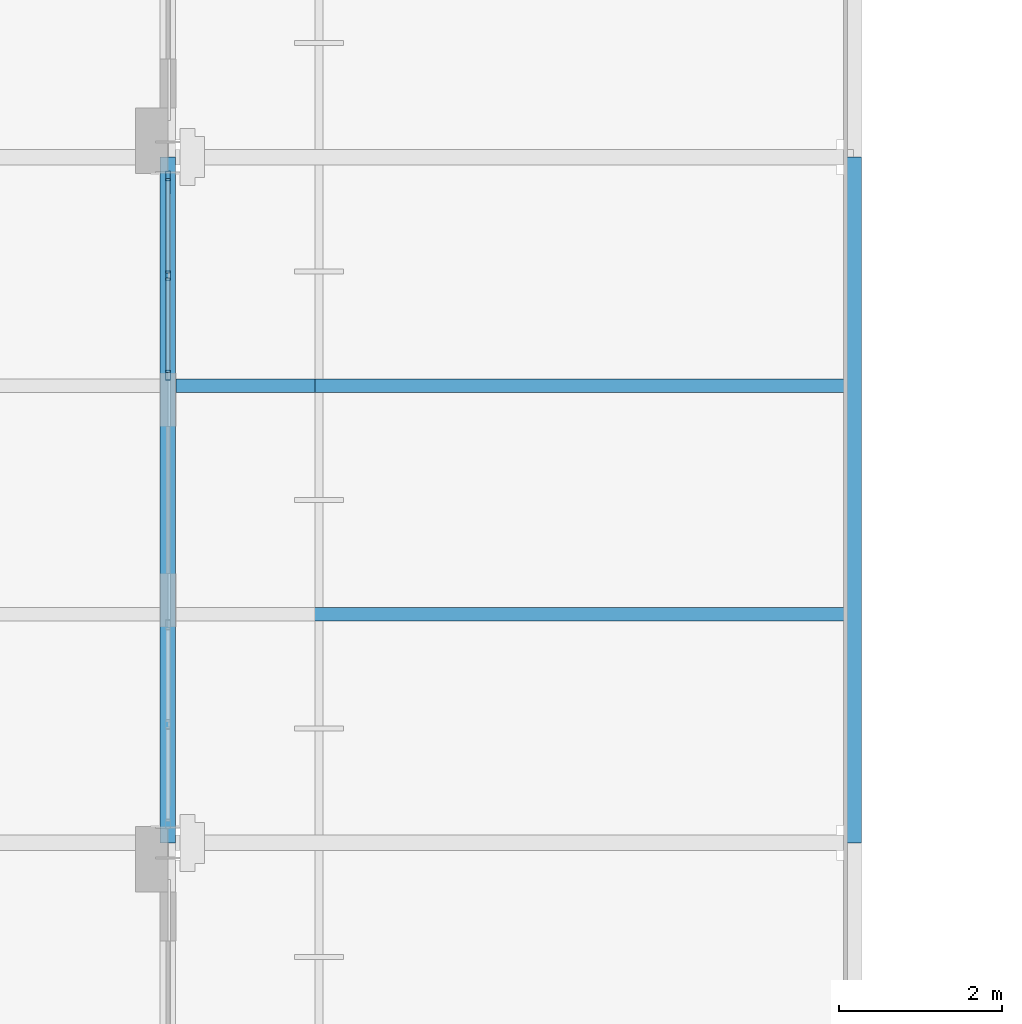
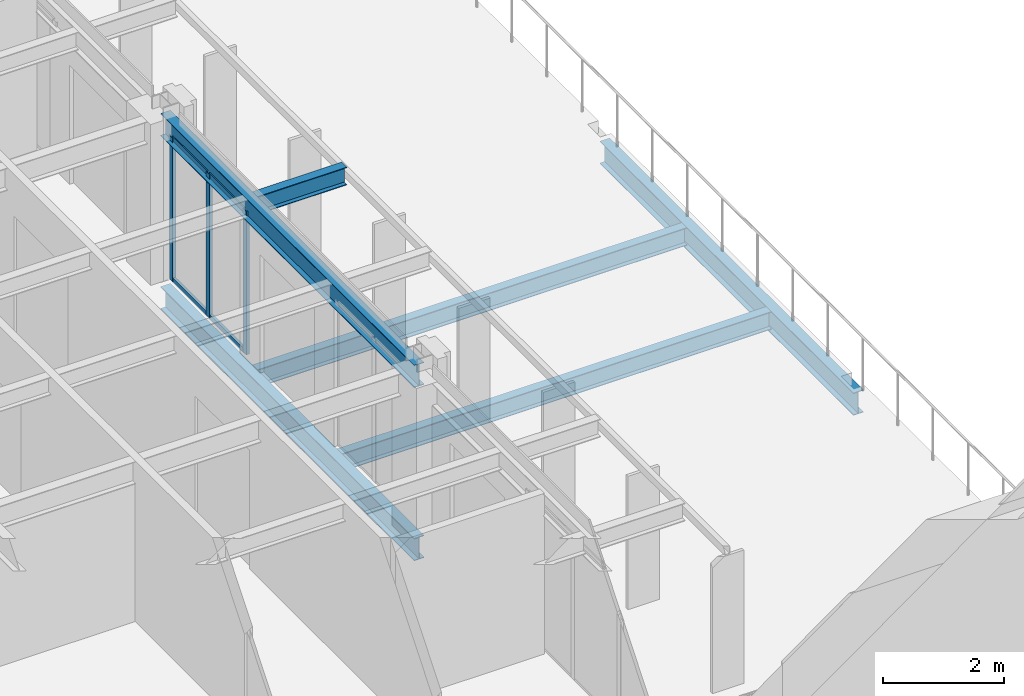
# One storey, part 11 of 31: 7 members, 6 beams, 1 element without a shape of its own.
"""IFC4 building model written with IfcOpenShell, lengths in metres."""

from ifc_helpers import new_model, si_unit, direction, frame, origin, origin_2d, place, context, subcontext, project, spatial, hollow_rectangle, i_section, extrude, material, material_profile, profile_set, type_object, element, aggregate, save


model = new_model("IFC4")

# Units and contexts
model_context = context("Model", 3, precision=1e-05, world=origin(), true_north=direction((0.0, 1.0)))
body_context = subcontext(model_context, "Body", "Model", "MODEL_VIEW")
ifc_project = project(units=[si_unit("LENGTHUNIT", "METRE"), si_unit("AREAUNIT", "SQUARE_METRE"), si_unit("VOLUMEUNIT", "CUBIC_METRE"), si_unit("PLANEANGLEUNIT", "RADIAN"), si_unit("MASSUNIT", "GRAM", prefix="KILO")], contexts=[model_context])

# Site, building, storey
site_placement = place(None, origin())
site = spatial("IfcSite", under=ifc_project, at=site_placement, CompositionType="ELEMENT")
building_placement = place(site_placement, origin())
building = spatial("IfcBuilding", under=site, at=building_placement, Name="Catenary Quay Ferry Terminal", CompositionType="ELEMENT")
storey_placement = place(building_placement, frame((0.0, 0.0, 20.60009765625)))
storey = spatial("IfcBuildingStorey", under=building, at=storey_placement, Name="L04", CompositionType="ELEMENT", Elevation=20.60009765625)

# Beams
ifc_material_1 = material(Name="Steel S355", Category="steel")
ifc_material_profile_1 = material_profile(ifc_material_1, i_section(OverallWidth=0.18994140625, OverallDepth=0.453369140625, WebThickness=0.008544921875, FlangeThickness=0.0126953125, at=origin_2d()), Name="UB 457x191x67")
ifc_profile_set_1 = profile_set([ifc_material_profile_1], Name="Steel S355")
beam_type_1 = type_object("IfcBeamType", Name="B1 UB 457x191x67", PredefinedType="BEAM", material=ifc_profile_set_1)
for number, where, z_axis, x_axis, name in (
    (1, (50.39990234375, 176.39990234375, -0.47705078125), (0.0, 1.0, 0.0), (-1.0, 0.0, 0.0), "Beam B1-018"),
    (2, (42.0, 176.39990234375, -0.47705078125), (0.0, 1.0, 0.0), (-1.0, 0.0, 0.0), "Beam B1-027"),
    (3, (42.0, 176.39990234375, 3.02294921875), (0.0, 1.0, 0.0), (-1.0, 0.0, 0.0), "Beam B1-020"),
):
    element("IfcBeam", number, at=place(storey_placement, frame(where, z_axis=z_axis, x_axis=x_axis)), inside=storey, type_object=beam_type_1, Name=name, PredefinedType="BEAM", context=body_context, shape_type="SweptSolid", body=[
        extrude(i_section(OverallWidth=0.18994140625, OverallDepth=0.453369140625, WebThickness=0.008544921875, FlangeThickness=0.0126953125, at=origin_2d()), origin(), (0.0, 0.0, 1.0), 8.400146484375),
    ])
ifc_material_2 = material(Name="Steel S355", Category="steel")
ifc_material_profile_2 = material_profile(ifc_material_2, i_section(OverallWidth=0.169921875, OverallDepth=0.360107421875, WebThickness=0.008056640625, FlangeThickness=0.0126953125, at=origin_2d()), Name="IPE 360")
ifc_profile_set_2 = profile_set([ifc_material_profile_2], Name="Steel S355")
beam_type_2 = type_object("IfcBeamType", Name="B7 IPE 360", PredefinedType="BEAM", material=ifc_profile_set_2)
for number, where, z_axis, x_axis, name in (
    (4, (42.094970703125, 179.199951171875, -0.43017578125), (1.0, 0.0, 0.0), (0.0, 1.0, 0.0), "Beam B7-009"),
    (5, (42.094970703125, 182.0, -0.43017578125), (1.0, 0.0, 0.0), (0.0, 1.0, 0.0), "Beam B7-012"),
):
    element("IfcBeam", number, at=place(storey_placement, frame(where, z_axis=z_axis, x_axis=x_axis)), inside=storey, type_object=beam_type_2, Name=name, PredefinedType="BEAM", context=body_context, shape_type="SweptSolid", body=[
        extrude(i_section(OverallWidth=0.169921875, OverallDepth=0.360107421875, WebThickness=0.008056640625, FlangeThickness=0.0126953125, at=origin_2d()), origin(), (0.0, 0.0, 1.0), 8.2099609375),
    ])
ifc_material_3 = material(Name="Steel S355", Category="steel")
ifc_material_profile_3 = material_profile(ifc_material_3, i_section(OverallWidth=0.169921875, OverallDepth=0.360107421875, WebThickness=0.008056640625, FlangeThickness=0.0126953125, at=origin_2d()), Name="IPE 360")
ifc_profile_set_3 = profile_set([ifc_material_profile_3], Name="Steel S355")
beam_type_3 = type_object("IfcBeamType", Name="B9 IPE 360", PredefinedType="BEAM", material=ifc_profile_set_3)
beam_placement = place(storey_placement, frame((42.095458984375, 182.0, 3.06982421875), z_axis=(1.0, 0.0, 0.0), x_axis=(0.0, 1.0, 0.0)))
element("IfcBeam", 6, at=beam_placement, inside=storey, type_object=beam_type_3, Name="Eaves cantilever E4", PredefinedType="BEAM", context=body_context, shape_type="SweptSolid", body=[
    extrude(i_section(OverallWidth=0.169921875, OverallDepth=0.360107421875, WebThickness=0.008056640625, FlangeThickness=0.0126953125, at=origin_2d()), origin(), (0.0, 0.0, 1.0), 1.70458984375),
])

# Curtain wall, members
ifc_material_4 = material(Name="Aluminium and glass", Category="aluminium")
curtain_wall_type = type_object("IfcCurtainWallType", Name="CWW5", PredefinedType="NOTDEFINED", material=ifc_material_4)
curtain_wall_placement = place(storey_placement, origin())
curtain_wall = element("IfcCurtainWall", 7, at=curtain_wall_placement, inside=storey, type_object=curtain_wall_type, Name="Wing curtain wall CW160", PredefinedType="NOTDEFINED")
ifc_material_5 = material(Name="Aluminium", Category="aluminium")
ifc_material_profile_4 = material_profile(ifc_material_5, hollow_rectangle(XDim=0.06005859375, YDim=0.1201171875, WallThickness=0.0048828125, at=origin_2d()), Name="MU4")
ifc_profile_set_4 = profile_set([ifc_material_profile_4], Name="Aluminium")
member_type_1 = type_object("IfcMemberType", Name="MU4", PredefinedType="MULLION", material=ifc_profile_set_4)
member_1_placement = place(storey_placement, frame((42.0, 182.1298828125, 0.0), z_axis=(0.0, 0.0, 1.0), x_axis=(-1.0, 0.0, 0.0)))
member_1 = element("IfcMember", 8, at=member_1_placement, type_object=member_type_1, Name="CW160 mullion 1", PredefinedType="MULLION", context=body_context, shape_type="SweptSolid", body=[
    extrude(hollow_rectangle(XDim=0.06005859375, YDim=0.1201171875, WallThickness=0.0048828125, at=origin_2d()), origin(), (0.0, 0.0, 1.0), 2.89990234375),
])
member_2_placement = place(storey_placement, frame((42.0, 183.35009765625, 0.0), z_axis=(0.0, 0.0, 1.0), x_axis=(-1.0, 0.0, 0.0)))
member_2 = element("IfcMember", 9, at=member_2_placement, type_object=member_type_1, Name="CW160 mullion 2", PredefinedType="MULLION", context=body_context, shape_type="SweptSolid", body=[
    extrude(hollow_rectangle(XDim=0.06005859375, YDim=0.1201171875, WallThickness=0.0048828125, at=origin_2d()), origin(), (0.0, 0.0, 1.0), 2.89990234375),
])
member_3_placement = place(storey_placement, frame((42.0, 184.570068359375, 0.0), z_axis=(0.0, 0.0, 1.0), x_axis=(-1.0, 0.0, 0.0)))
member_3 = element("IfcMember", 10, at=member_3_placement, type_object=member_type_1, Name="CW160 mullion 3", PredefinedType="MULLION", context=body_context, shape_type="SweptSolid", body=[
    extrude(hollow_rectangle(XDim=0.06005859375, YDim=0.1201171875, WallThickness=0.0048828125, at=origin_2d()), origin(), (0.0, 0.0, 1.0), 2.89990234375),
])
ifc_material_6 = material(Name="Aluminium", Category="aluminium")
ifc_material_profile_5 = material_profile(ifc_material_6, hollow_rectangle(XDim=0.050048828125, YDim=0.10009765625, WallThickness=0.00390625, at=origin_2d()), Name="TR4")
ifc_profile_set_5 = profile_set([ifc_material_profile_5], Name="Aluminium")
member_type_2 = type_object("IfcMemberType", Name="TR4", PredefinedType="USERDEFINED", material=ifc_profile_set_5)
member_4_placement = place(storey_placement, frame((42.0, 182.159912109375, 0.02490234375), z_axis=(0.0, 1.0, 0.0), x_axis=(-1.0, 0.0, 0.0)))
member_4 = element("IfcMember", 11, at=member_4_placement, type_object=member_type_2, Name="CW160 transom 1.1", ObjectType="TRANSOM", PredefinedType="USERDEFINED", context=body_context, shape_type="SweptSolid", body=[
    extrude(hollow_rectangle(XDim=0.050048828125, YDim=0.10009765625, WallThickness=0.00390625, at=origin_2d()), origin(), (0.0, 0.0, 1.0), 1.16015625),
])
member_5_placement = place(storey_placement, frame((42.0, 182.159912109375, 2.875), z_axis=(0.0, 1.0, 0.0), x_axis=(-1.0, 0.0, 0.0)))
member_5 = element("IfcMember", 12, at=member_5_placement, type_object=member_type_2, Name="CW160 transom 1.2", ObjectType="TRANSOM", PredefinedType="USERDEFINED", context=body_context, shape_type="SweptSolid", body=[
    extrude(hollow_rectangle(XDim=0.050048828125, YDim=0.10009765625, WallThickness=0.00390625, at=origin_2d()), origin(), (0.0, 0.0, 1.0), 1.16015625),
])
member_6_placement = place(storey_placement, frame((42.0, 183.3798828125, 0.02490234375), z_axis=(0.0, 1.0, 0.0), x_axis=(-1.0, 0.0, 0.0)))
member_6 = element("IfcMember", 13, at=member_6_placement, type_object=member_type_2, Name="CW160 transom 2.1", ObjectType="TRANSOM", PredefinedType="USERDEFINED", context=body_context, shape_type="SweptSolid", body=[
    extrude(hollow_rectangle(XDim=0.050048828125, YDim=0.10009765625, WallThickness=0.00390625, at=origin_2d()), origin(), (0.0, 0.0, 1.0), 1.16015625),
])
member_7_placement = place(storey_placement, frame((42.0, 183.3798828125, 2.875), z_axis=(0.0, 1.0, 0.0), x_axis=(-1.0, 0.0, 0.0)))
member_7 = element("IfcMember", 14, at=member_7_placement, type_object=member_type_2, Name="CW160 transom 2.2", ObjectType="TRANSOM", PredefinedType="USERDEFINED", context=body_context, shape_type="SweptSolid", body=[
    extrude(hollow_rectangle(XDim=0.050048828125, YDim=0.10009765625, WallThickness=0.00390625, at=origin_2d()), origin(), (0.0, 0.0, 1.0), 1.16015625),
])
aggregate(curtain_wall, [member_1, member_2, member_3, member_4, member_5, member_6, member_7])

save(model, "model.ifc")
